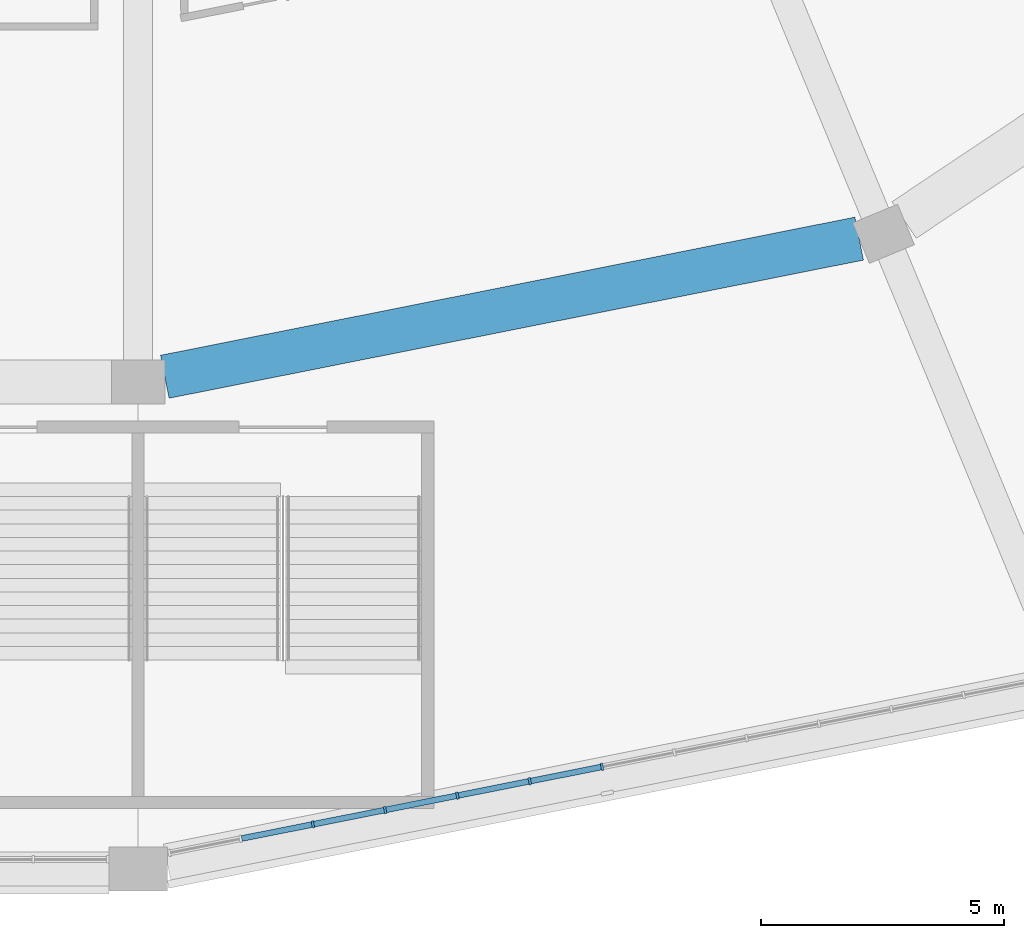
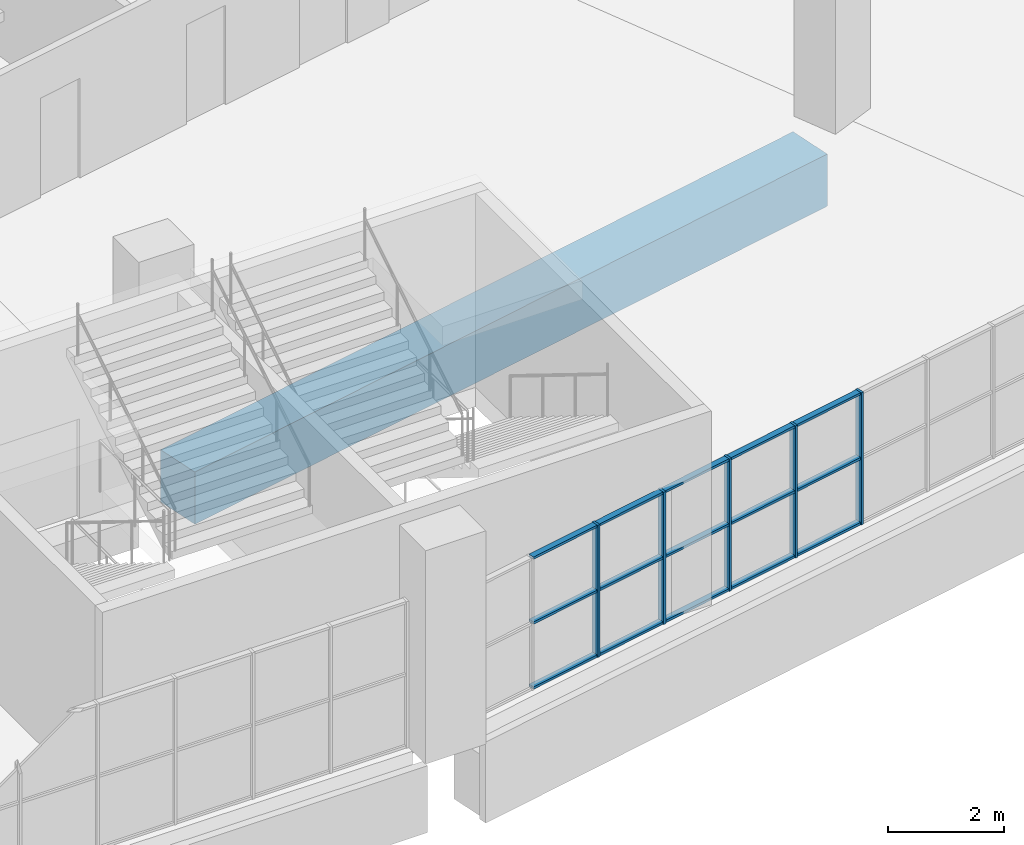
# One storey, part 15 of 199: 20 members, 1 beam, 1 element without a shape of its own.
"""IFC4 building model written with IfcOpenShell, lengths in metres."""

from ifc_helpers import new_model, si_unit, direction, frame, origin, origin_2d, place, context, subcontext, project, spatial, rectangle, extrude, material, material_profile, profile_set, type_object, element, aggregate, save


model = new_model("IFC4")

# Units and contexts
model_context = context("Model", 3, precision=1e-05, world=origin(), true_north=direction((0.0, 1.0)))
body_context = subcontext(model_context, "Body", "Model", "MODEL_VIEW")
ifc_project = project(units=[si_unit("LENGTHUNIT", "METRE"), si_unit("AREAUNIT", "SQUARE_METRE"), si_unit("VOLUMEUNIT", "CUBIC_METRE"), si_unit("PLANEANGLEUNIT", "RADIAN"), si_unit("MASSUNIT", "GRAM", prefix="KILO")], contexts=[model_context])

# Site, building, storey
site_placement = place(None, origin())
site = spatial("IfcSite", under=ifc_project, at=site_placement, CompositionType="ELEMENT")
building_placement = place(site_placement, origin())
building = spatial("IfcBuilding", under=site, at=building_placement, Name="Ogive Plaza Stadium", CompositionType="ELEMENT")
storey_placement = place(building_placement, frame((0.0, 0.0, 9.0)))
storey = spatial("IfcBuildingStorey", under=building, at=storey_placement, Name="L02", CompositionType="ELEMENT", Elevation=9.0)

# Curtain wall, members
ifc_material_1 = material(Name="Bronze-anodised aluminium with laminated glass", Category="aluminium")
curtain_wall_type = type_object("IfcCurtainWallType", Name="Lancet curtain wall", PredefinedType="NOTDEFINED", material=ifc_material_1)
curtain_wall_placement = place(storey_placement, origin())
curtain_wall = element("IfcCurtainWall", 1, at=curtain_wall_placement, inside=storey, type_object=curtain_wall_type, Name="CURTAIN WALL B11 L02", PredefinedType="NOTDEFINED")
ifc_material_2 = material(Name="Bronze-anodised aluminium", Category="aluminium")
ifc_material_profile_1 = material_profile(ifc_material_2, rectangle(XDim=0.14990234375, YDim=0.050048828125, at=origin_2d()), Name="AL 150x50")
ifc_profile_set_1 = profile_set([ifc_material_profile_1], Name="Bronze-anodised aluminium")
member_type_1 = type_object("IfcMemberType", Name="Curtain wall mullion 50x150", PredefinedType="MULLION", material=ifc_profile_set_1)
member_1_placement = place(storey_placement, frame((43.528076171875, -100.40087890625, 0.0), z_axis=(0.0, 0.0, 1.0), x_axis=(0.195090322016, -0.980785280403, 0.0)))
member_1 = element("IfcMember", 2, at=member_1_placement, type_object=member_type_1, Name="CW-B11-L02 mullion 7", PredefinedType="MULLION", context=body_context, shape_type="SweptSolid", body=[
    extrude(rectangle(XDim=0.14990234375, YDim=0.050048828125, at=origin_2d()), origin(), (0.0, 0.0, 1.0), 2.7900390625),
])
member_2_placement = place(storey_placement, frame((42.043212890625, -100.6962890625, 0.0), z_axis=(0.0, 0.0, 1.0), x_axis=(0.195090322016, -0.980785280403, 0.0)))
member_2 = element("IfcMember", 3, at=member_2_placement, type_object=member_type_1, Name="CW-B11-L02 mullion 8", PredefinedType="MULLION", context=body_context, shape_type="SweptSolid", body=[
    extrude(rectangle(XDim=0.14990234375, YDim=0.050048828125, at=origin_2d()), origin(), (0.0, 0.0, 1.0), 2.7900390625),
])
member_3_placement = place(storey_placement, frame((40.55859375, -100.991455078125, 0.0), z_axis=(0.0, 0.0, 1.0), x_axis=(0.195090322016, -0.980785280403, 0.0)))
member_3 = element("IfcMember", 4, at=member_3_placement, type_object=member_type_1, Name="CW-B11-L02 mullion 9", PredefinedType="MULLION", context=body_context, shape_type="SweptSolid", body=[
    extrude(rectangle(XDim=0.14990234375, YDim=0.050048828125, at=origin_2d()), origin(), (0.0, 0.0, 1.0), 2.7900390625),
])
member_4_placement = place(storey_placement, frame((39.07373046875, -101.286865234375, 0.0), z_axis=(0.0, 0.0, 1.0), x_axis=(0.195090322016, -0.980785280403, 0.0)))
member_4 = element("IfcMember", 5, at=member_4_placement, type_object=member_type_1, Name="CW-B11-L02 mullion 10", PredefinedType="MULLION", context=body_context, shape_type="SweptSolid", body=[
    extrude(rectangle(XDim=0.14990234375, YDim=0.050048828125, at=origin_2d()), origin(), (0.0, 0.0, 1.0), 2.7900390625),
])
member_5_placement = place(storey_placement, frame((37.589111328125, -101.582275390625, 0.0), z_axis=(0.0, 0.0, 1.0), x_axis=(0.195090322016, -0.980785280403, 0.0)))
member_5 = element("IfcMember", 6, at=member_5_placement, type_object=member_type_1, Name="CW-B11-L02 mullion 11", PredefinedType="MULLION", context=body_context, shape_type="SweptSolid", body=[
    extrude(rectangle(XDim=0.14990234375, YDim=0.050048828125, at=origin_2d()), origin(), (0.0, 0.0, 1.0), 2.7900390625),
])
ifc_material_3 = material(Name="Bronze-anodised aluminium", Category="aluminium")
ifc_material_profile_2 = material_profile(ifc_material_3, rectangle(XDim=0.1201171875, YDim=0.050048828125, at=origin_2d()), Name="AL 120x50")
ifc_profile_set_2 = profile_set([ifc_material_profile_2], Name="Bronze-anodised aluminium")
member_type_2 = type_object("IfcMemberType", Name="Curtain wall transom 50x120", PredefinedType="USERDEFINED", material=ifc_profile_set_2)
member_6_placement = place(storey_placement, frame((43.503662109375, -100.40576171875, 0.02490234375), z_axis=(-0.980779013771, -0.195121823859, 0.0), x_axis=(0.195121823859, -0.980779013771, 0.0)))
member_6 = element("IfcMember", 7, at=member_6_placement, type_object=member_type_2, Name="CW-B11-L02 transom 7.1", ObjectType="TRANSOM", PredefinedType="USERDEFINED", context=body_context, shape_type="SweptSolid", body=[
    extrude(rectangle(XDim=0.1201171875, YDim=0.050048828125, at=origin_2d()), origin(), (0.0, 0.0, 1.0), 1.4638671875),
])
member_7_placement = place(storey_placement, frame((43.503662109375, -100.40576171875, 1.39501953125), z_axis=(-0.980779013771, -0.195121823859, 0.0), x_axis=(0.195121823859, -0.980779013771, 0.0)))
member_7 = element("IfcMember", 8, at=member_7_placement, type_object=member_type_2, Name="CW-B11-L02 transom 7.2", ObjectType="TRANSOM", PredefinedType="USERDEFINED", context=body_context, shape_type="SweptSolid", body=[
    extrude(rectangle(XDim=0.1201171875, YDim=0.050048828125, at=origin_2d()), origin(), (0.0, 0.0, 1.0), 1.4638671875),
])
member_8_placement = place(storey_placement, frame((43.503662109375, -100.40576171875, 2.764892578125), z_axis=(-0.980779013771, -0.195121823859, 0.0), x_axis=(0.195121823859, -0.980779013771, 0.0)))
member_8 = element("IfcMember", 9, at=member_8_placement, type_object=member_type_2, Name="CW-B11-L02 transom 7.3", ObjectType="TRANSOM", PredefinedType="USERDEFINED", context=body_context, shape_type="SweptSolid", body=[
    extrude(rectangle(XDim=0.1201171875, YDim=0.050048828125, at=origin_2d()), origin(), (0.0, 0.0, 1.0), 1.4638671875),
])
member_9_placement = place(storey_placement, frame((42.018798828125, -100.700927734375, 0.02490234375), z_axis=(-0.980779013771, -0.195121823859, 0.0), x_axis=(0.195121823859, -0.980779013771, 0.0)))
member_9 = element("IfcMember", 10, at=member_9_placement, type_object=member_type_2, Name="CW-B11-L02 transom 8.1", ObjectType="TRANSOM", PredefinedType="USERDEFINED", context=body_context, shape_type="SweptSolid", body=[
    extrude(rectangle(XDim=0.1201171875, YDim=0.050048828125, at=origin_2d()), origin(), (0.0, 0.0, 1.0), 1.4638671875),
])
member_10_placement = place(storey_placement, frame((42.018798828125, -100.700927734375, 1.39501953125), z_axis=(-0.980779013771, -0.195121823859, 0.0), x_axis=(0.195121823859, -0.980779013771, 0.0)))
member_10 = element("IfcMember", 11, at=member_10_placement, type_object=member_type_2, Name="CW-B11-L02 transom 8.2", ObjectType="TRANSOM", PredefinedType="USERDEFINED", context=body_context, shape_type="SweptSolid", body=[
    extrude(rectangle(XDim=0.1201171875, YDim=0.050048828125, at=origin_2d()), origin(), (0.0, 0.0, 1.0), 1.4638671875),
])
member_11_placement = place(storey_placement, frame((42.018798828125, -100.700927734375, 2.764892578125), z_axis=(-0.980779013771, -0.195121823859, 0.0), x_axis=(0.195121823859, -0.980779013771, 0.0)))
member_11 = element("IfcMember", 12, at=member_11_placement, type_object=member_type_2, Name="CW-B11-L02 transom 8.3", ObjectType="TRANSOM", PredefinedType="USERDEFINED", context=body_context, shape_type="SweptSolid", body=[
    extrude(rectangle(XDim=0.1201171875, YDim=0.050048828125, at=origin_2d()), origin(), (0.0, 0.0, 1.0), 1.4638671875),
])
member_12_placement = place(storey_placement, frame((40.533935546875, -100.996337890625, 0.02490234375), z_axis=(-0.980772662828, -0.195153744134, 0.0), x_axis=(0.195153744134, -0.980772662828, 0.0)))
member_12 = element("IfcMember", 13, at=member_12_placement, type_object=member_type_2, Name="CW-B11-L02 transom 9.1", ObjectType="TRANSOM", PredefinedType="USERDEFINED", context=body_context, shape_type="SweptSolid", body=[
    extrude(rectangle(XDim=0.1201171875, YDim=0.050048828125, at=origin_2d()), origin(), (0.0, 0.0, 1.0), 1.463623046875),
])
member_13_placement = place(storey_placement, frame((40.533935546875, -100.996337890625, 1.39501953125), z_axis=(-0.980772662828, -0.195153744134, 0.0), x_axis=(0.195153744134, -0.980772662828, 0.0)))
member_13 = element("IfcMember", 14, at=member_13_placement, type_object=member_type_2, Name="CW-B11-L02 transom 9.2", ObjectType="TRANSOM", PredefinedType="USERDEFINED", context=body_context, shape_type="SweptSolid", body=[
    extrude(rectangle(XDim=0.1201171875, YDim=0.050048828125, at=origin_2d()), origin(), (0.0, 0.0, 1.0), 1.463623046875),
])
member_14_placement = place(storey_placement, frame((40.533935546875, -100.996337890625, 2.764892578125), z_axis=(-0.980772662828, -0.195153744134, 0.0), x_axis=(0.195153744134, -0.980772662828, 0.0)))
member_14 = element("IfcMember", 15, at=member_14_placement, type_object=member_type_2, Name="CW-B11-L02 transom 9.3", ObjectType="TRANSOM", PredefinedType="USERDEFINED", context=body_context, shape_type="SweptSolid", body=[
    extrude(rectangle(XDim=0.1201171875, YDim=0.050048828125, at=origin_2d()), origin(), (0.0, 0.0, 1.0), 1.463623046875),
])
member_15_placement = place(storey_placement, frame((39.04931640625, -101.291748046875, 0.02490234375), z_axis=(-0.980779013771, -0.195121823859, 0.0), x_axis=(0.195121823859, -0.980779013771, 0.0)))
member_15 = element("IfcMember", 16, at=member_15_placement, type_object=member_type_2, Name="CW-B11-L02 transom 10.1", ObjectType="TRANSOM", PredefinedType="USERDEFINED", context=body_context, shape_type="SweptSolid", body=[
    extrude(rectangle(XDim=0.1201171875, YDim=0.050048828125, at=origin_2d()), origin(), (0.0, 0.0, 1.0), 1.4638671875),
])
member_16_placement = place(storey_placement, frame((39.04931640625, -101.291748046875, 1.39501953125), z_axis=(-0.980779013771, -0.195121823859, 0.0), x_axis=(0.195121823859, -0.980779013771, 0.0)))
member_16 = element("IfcMember", 17, at=member_16_placement, type_object=member_type_2, Name="CW-B11-L02 transom 10.2", ObjectType="TRANSOM", PredefinedType="USERDEFINED", context=body_context, shape_type="SweptSolid", body=[
    extrude(rectangle(XDim=0.1201171875, YDim=0.050048828125, at=origin_2d()), origin(), (0.0, 0.0, 1.0), 1.4638671875),
])
member_17_placement = place(storey_placement, frame((39.04931640625, -101.291748046875, 2.764892578125), z_axis=(-0.980779013771, -0.195121823859, 0.0), x_axis=(0.195121823859, -0.980779013771, 0.0)))
member_17 = element("IfcMember", 18, at=member_17_placement, type_object=member_type_2, Name="CW-B11-L02 transom 10.3", ObjectType="TRANSOM", PredefinedType="USERDEFINED", context=body_context, shape_type="SweptSolid", body=[
    extrude(rectangle(XDim=0.1201171875, YDim=0.050048828125, at=origin_2d()), origin(), (0.0, 0.0, 1.0), 1.4638671875),
])
member_18_placement = place(storey_placement, frame((37.564453125, -101.587158203125, 0.02490234375), z_axis=(-0.980804576136, -0.194993290732, 0.0), x_axis=(0.194993290732, -0.980804576136, 0.0)))
member_18 = element("IfcMember", 19, at=member_18_placement, type_object=member_type_2, Name="CW-B11-L02 transom 11.1", ObjectType="TRANSOM", PredefinedType="USERDEFINED", context=body_context, shape_type="SweptSolid", body=[
    extrude(rectangle(XDim=0.1201171875, YDim=0.050048828125, at=origin_2d()), origin(), (0.0, 0.0, 1.0), 1.463623046875),
])
member_19_placement = place(storey_placement, frame((37.564453125, -101.587158203125, 1.39501953125), z_axis=(-0.980804576136, -0.194993290732, 0.0), x_axis=(0.194993290732, -0.980804576136, 0.0)))
member_19 = element("IfcMember", 20, at=member_19_placement, type_object=member_type_2, Name="CW-B11-L02 transom 11.2", ObjectType="TRANSOM", PredefinedType="USERDEFINED", context=body_context, shape_type="SweptSolid", body=[
    extrude(rectangle(XDim=0.1201171875, YDim=0.050048828125, at=origin_2d()), origin(), (0.0, 0.0, 1.0), 1.463623046875),
])
member_20_placement = place(storey_placement, frame((37.564453125, -101.587158203125, 2.764892578125), z_axis=(-0.980804576136, -0.194993290732, 0.0), x_axis=(0.194993290732, -0.980804576136, 0.0)))
member_20 = element("IfcMember", 21, at=member_20_placement, type_object=member_type_2, Name="CW-B11-L02 transom 11.3", ObjectType="TRANSOM", PredefinedType="USERDEFINED", context=body_context, shape_type="SweptSolid", body=[
    extrude(rectangle(XDim=0.1201171875, YDim=0.050048828125, at=origin_2d()), origin(), (0.0, 0.0, 1.0), 1.463623046875),
])
aggregate(curtain_wall, [member_1, member_2, member_3, member_4, member_5, member_6, member_7, member_8, member_9, member_10, member_11, member_12, member_13, member_14, member_15, member_16, member_17, member_18, member_19, member_20])

# Beam
ifc_material_4 = material(Name="Concrete C40/50", Category="concrete")
ifc_material_profile_3 = material_profile(ifc_material_4, rectangle(XDim=0.89990234375, YDim=1.10009765625, at=origin_2d()), Name="RC 900x1100")
ifc_profile_set_3 = profile_set([ifc_material_profile_3], Name="Concrete C40/50")
beam_type = type_object("IfcBeamType", Name="RC ring beam 900x1100", PredefinedType="BEAM", material=ifc_profile_set_3)
beam_placement = place(storey_placement, frame((48.807373046875, -89.5546875, -0.9599609375), z_axis=(-0.980785551724, -0.195088957992, 0.0), x_axis=(0.195088957992, -0.980785551724, 0.0)))
element("IfcBeam", 22, at=beam_placement, inside=storey, type_object=beam_type, Name="Ring beam F4 L02 B11", PredefinedType="BEAM", context=body_context, shape_type="SweptSolid", body=[
    extrude(rectangle(XDim=0.89990234375, YDim=1.10009765625, at=origin_2d()), origin(), (0.0, 0.0, 1.0), 14.53662109375),
])

save(model, "model.ifc")
